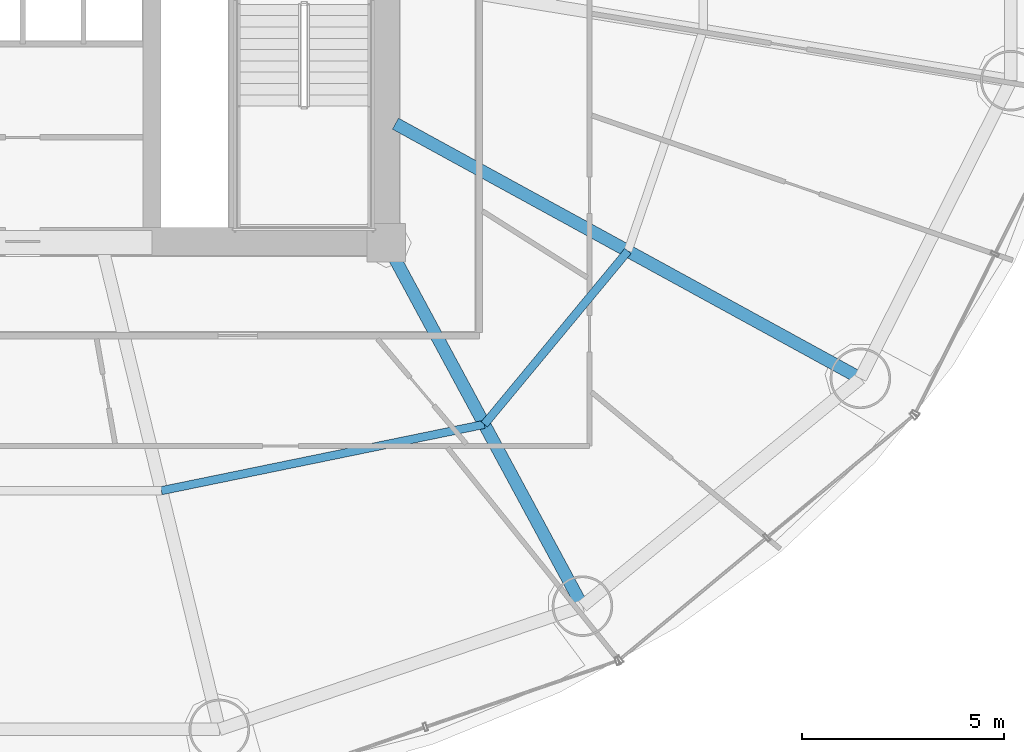
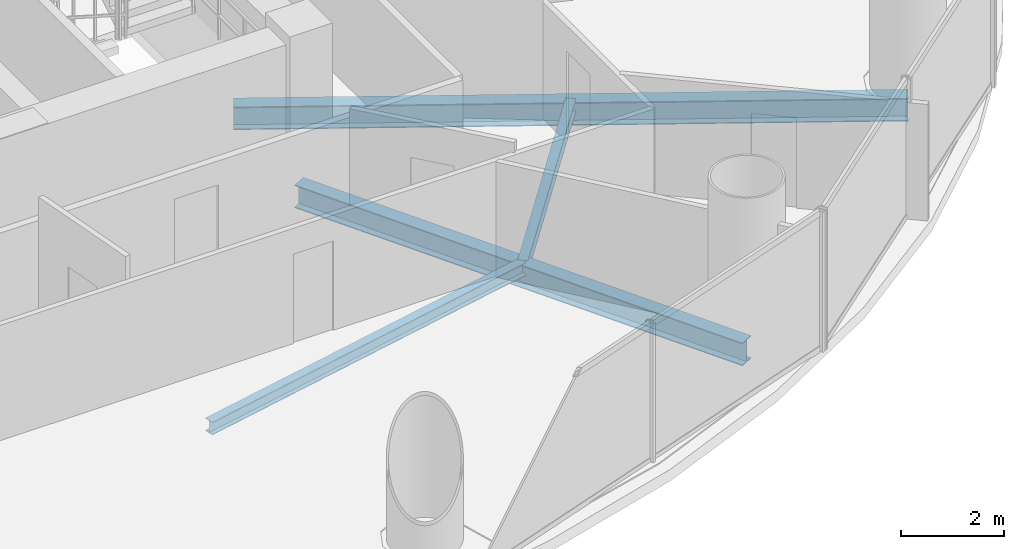
# One storey, part 12 of 29: 4 beams.
"""IFC4 building model written with IfcOpenShell, lengths in metres."""

from ifc_helpers import new_model, si_unit, direction, frame, origin, origin_2d, place, context, subcontext, project, spatial, i_section, extrude, material, material_profile, profile_set, type_object, element, save


model = new_model("IFC4")

# Units and contexts
model_context = context("Model", 3, precision=1e-05, world=origin(), true_north=direction((-0.2419218956, 0.970295726276)))
body_context = subcontext(model_context, "Body", "Model", "MODEL_VIEW")
ifc_project = project(units=[si_unit("LENGTHUNIT", "METRE"), si_unit("AREAUNIT", "SQUARE_METRE"), si_unit("VOLUMEUNIT", "CUBIC_METRE"), si_unit("PLANEANGLEUNIT", "RADIAN"), si_unit("MASSUNIT", "GRAM", prefix="KILO")], contexts=[model_context])

# Site, building, storey
site_placement = place(None, origin())
site = spatial("IfcSite", under=ifc_project, at=site_placement, CompositionType="ELEMENT")
building_placement = place(site_placement, origin())
building = spatial("IfcBuilding", under=site, at=building_placement, Name="Cobrevalo Terracotta Tower", CompositionType="ELEMENT")
storey_placement = place(building_placement, frame((0.0, 0.0, 90.60009765625)))
storey = spatial("IfcBuildingStorey", under=building, at=storey_placement, Name="L23", CompositionType="ELEMENT", Elevation=90.60009765625)

# Beams
ifc_material = material(Name="Steel S355", Category="steel")
ifc_material_profile_1 = material_profile(ifc_material, i_section(OverallWidth=0.31201171875, OverallDepth=0.54296875, WebThickness=0.0126953125, FlangeThickness=0.020263671875, at=origin_2d()), Name="W 530x150")
ifc_profile_set_1 = profile_set([ifc_material_profile_1], Name="Steel S355")
beam_type_1 = type_object("IfcBeamType", Name="Structural Beam W 530x150 (Steel S355)", PredefinedType="BEAM", material=ifc_profile_set_1)
beam_1_placement = place(storey_placement, frame((51.861572265625, 9.79638671875, -0.546630859375), z_axis=(-0.475118249298, 0.879921956303, 0.0), x_axis=(-0.879921956303, -0.475118249298, 0.0)))
element("IfcBeam", 1, at=beam_1_placement, inside=storey, type_object=beam_type_1, Name="L23 radial floor girder 14", PredefinedType="BEAM", context=body_context, shape_type="SweptSolid", body=[
    extrude(i_section(OverallWidth=0.31201171875, OverallDepth=0.54296875, WebThickness=0.0126953125, FlangeThickness=0.020263671875, at=origin_2d()), origin(), (0.0, 0.0, 1.0), 10.232421875),
])
beam_2_placement = place(storey_placement, frame((58.7451171875, 15.4384765625, -0.546630859375), z_axis=(-0.877072765004, 0.480357538599, 0.0), x_axis=(-0.480357538599, -0.877072765004, 0.0)))
element("IfcBeam", 2, at=beam_2_placement, inside=storey, type_object=beam_type_1, Name="L23 radial floor girder 15", PredefinedType="BEAM", context=body_context, shape_type="SweptSolid", body=[
    extrude(i_section(OverallWidth=0.31201171875, OverallDepth=0.54296875, WebThickness=0.0126953125, FlangeThickness=0.020263671875, at=origin_2d()), origin(), (0.0, 0.0, 1.0), 13.129150390625),
])
ifc_material_profile_2 = material_profile(ifc_material, i_section(OverallWidth=0.2041015625, OverallDepth=0.305908203125, WebThickness=0.008544921875, FlangeThickness=0.0146484375, at=origin_2d()), Name="W 310x67")
ifc_profile_set_2 = profile_set([ifc_material_profile_2], Name="Steel S355")
beam_type_2 = type_object("IfcBeamType", Name="Structural Joist W 310x67 (Steel S355)", PredefinedType="JOIST", material=ifc_profile_set_2)
beam_3_placement = place(storey_placement, frame((41.432373046875, 12.656494140625, -0.427978515625), z_axis=(0.979574469315, 0.201081722357, 0.0), x_axis=(-0.201081722357, 0.979574469315, 0.0)))
element("IfcBeam", 3, at=beam_3_placement, inside=storey, type_object=beam_type_2, Name="L23 circumferential secondary floor joist 13", PredefinedType="JOIST", context=body_context, shape_type="SweptSolid", body=[
    extrude(i_section(OverallWidth=0.2041015625, OverallDepth=0.305908203125, WebThickness=0.008544921875, FlangeThickness=0.0146484375, at=origin_2d()), origin(), (0.0, 0.0, 1.0), 8.1650390625),
])
beam_4_placement = place(storey_placement, frame((49.4306640625, 14.29833984375, -0.427978515625), z_axis=(0.6379592588, 0.77007011636, 0.0), x_axis=(-0.77007011636, 0.6379592588, 0.0)))
element("IfcBeam", 4, at=beam_4_placement, inside=storey, type_object=beam_type_2, Name="L23 circumferential secondary floor joist 14", PredefinedType="JOIST", context=body_context, shape_type="SweptSolid", body=[
    extrude(i_section(OverallWidth=0.2041015625, OverallDepth=0.305908203125, WebThickness=0.008544921875, FlangeThickness=0.0146484375, at=origin_2d()), origin(), (0.0, 0.0, 1.0), 5.575439453125),
])

save(model, "model.ifc")
